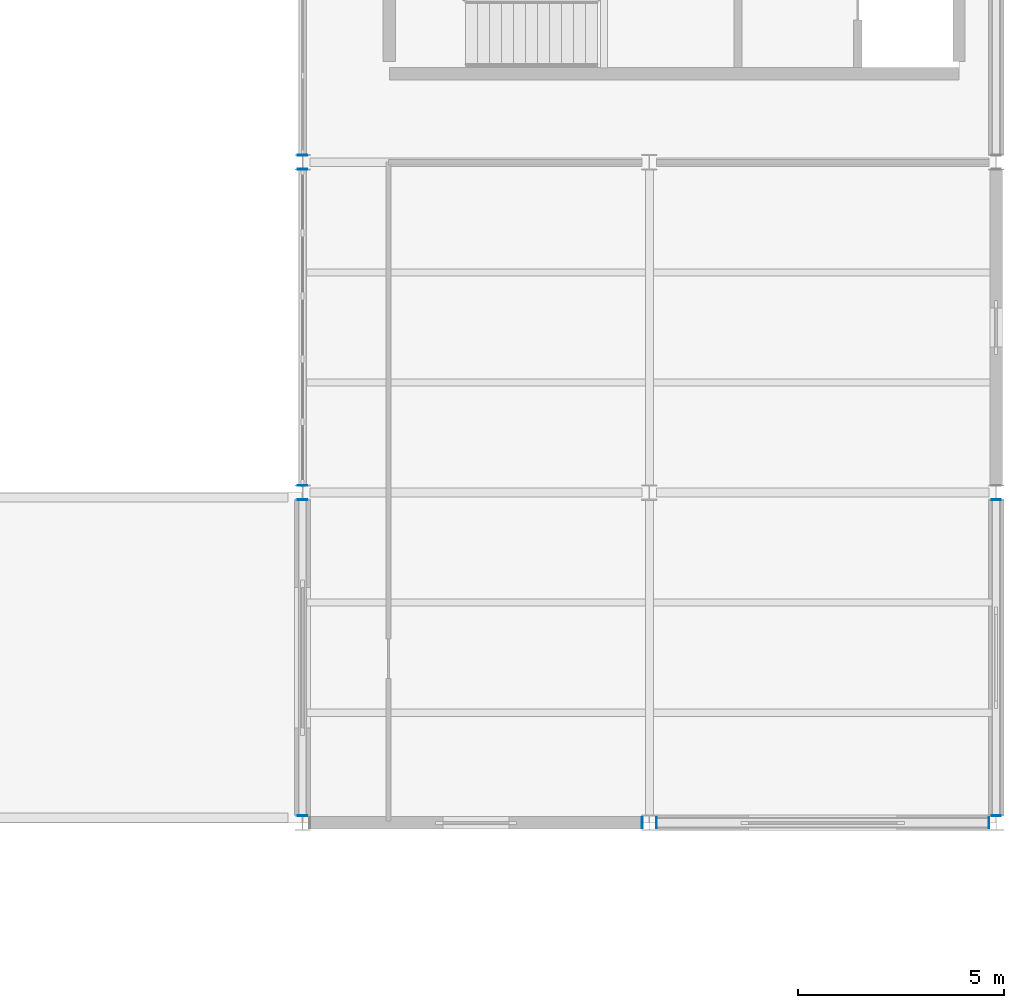
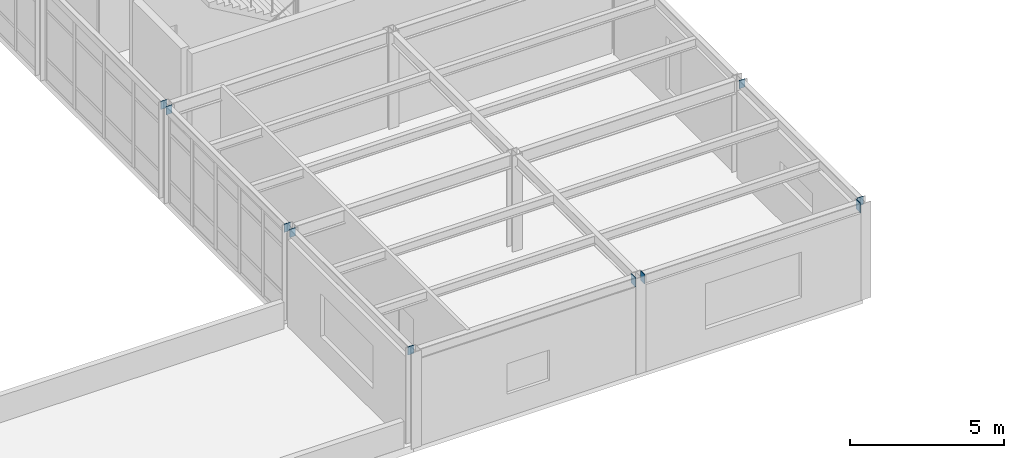
# One storey, part 122 of 138: 10 discrete accessories.
"""IFC4 building model written with IfcOpenShell, lengths in metres."""

from ifc_helpers import new_model, si_unit, direction, frame, origin, origin_2d, place, context, subcontext, project, spatial, rectangle, extrude, material, layer, layer_set, type_object, element, save


model = new_model("IFC4")

# Units and contexts
model_context = context("Model", 3, precision=1e-05, world=origin(), true_north=direction((0.0, 1.0)))
body_context = subcontext(model_context, "Body", "Model", "MODEL_VIEW")
ifc_project = project(units=[si_unit("LENGTHUNIT", "METRE"), si_unit("AREAUNIT", "SQUARE_METRE"), si_unit("VOLUMEUNIT", "CUBIC_METRE"), si_unit("PLANEANGLEUNIT", "RADIAN"), si_unit("MASSUNIT", "GRAM", prefix="KILO")], contexts=[model_context])

# Site, building, storey
site_placement = place(None, origin())
site = spatial("IfcSite", under=ifc_project, at=site_placement, CompositionType="ELEMENT")
building_placement = place(site_placement, origin())
building = spatial("IfcBuilding", under=site, at=building_placement, Name="Kranzveld Transit Interchange", CompositionType="ELEMENT")
storey_placement = place(building_placement, frame((0.0, 0.0, 5.43994140625)))
storey = spatial("IfcBuildingStorey", under=building, at=storey_placement, Name="L01", CompositionType="ELEMENT", Elevation=5.43994140625)

# Discrete accessories
ifc_material = material(Name="Steel S355JR", Category="steel")
ifc_layer = layer(ifc_material, 0.02001953125)
ifc_layer_set = layer_set([ifc_layer], Name="Steel S355JR")
discrete_accessory_type = type_object("IfcDiscreteAccessoryType", Name="Hollow Section End Cap Bracket 20 S355JR", PredefinedType="BRACKET", material=ifc_layer_set)
for number, where, z_axis, x_axis, name in (
    (1, (159.418701171875, 56.0, 3.625), (1.0, 0.0, 0.0), (0.0, 1.0, 0.0), "Hollow Section End Cap SP-RHS350-2"),
    (2, (159.78125, 56.0, 3.625), (-1.0, 0.0, 0.0), (0.0, -1.0, 0.0), "Hollow Section End Cap SP-RHS350-1"),
    (3, (167.818603515625, 56.0, 3.625), (1.0, 0.0, 0.0), (0.0, 1.0, 0.0), "Hollow Section End Cap SP-RHS350-2"),
):
    element("IfcDiscreteAccessory", number, at=place(storey_placement, frame(where, z_axis=z_axis, x_axis=x_axis)), inside=storey, type_object=discrete_accessory_type, Name=name, PredefinedType="BRACKET", context=body_context, shape_type="SweptSolid", body=[
        extrude(rectangle(XDim=0.27392578125, YDim=0.3740234375, at=origin_2d()), origin(), (0.0, 0.0, 1.0), 0.02001953125),
    ])
for number, where, z_axis, x_axis, name in (
    (4, (151.199951171875, 56.181396484375, 3.650146484375), (0.0, -1.0, 0.0), (1.0, 0.0, 0.0), "Hollow Section End Cap SP-RHS300-1"),
    (5, (151.199951171875, 63.818603515625, 3.650146484375), (0.0, 1.0, 0.0), (-1.0, 0.0, 0.0), "Hollow Section End Cap SP-RHS300-2"),
    (6, (151.199951171875, 64.181396484375, 3.650146484375), (0.0, -1.0, 0.0), (1.0, 0.0, 0.0), "Hollow Section End Cap SP-RHS300-1"),
    (7, (151.199951171875, 71.818603515625, 3.650146484375), (0.0, 1.0, 0.0), (-1.0, 0.0, 0.0), "Hollow Section End Cap SP-RHS300-2"),
    (8, (151.199951171875, 72.181396484375, 3.650146484375), (0.0, -1.0, 0.0), (1.0, 0.0, 0.0), "Hollow Section End Cap SP-RHS300-1"),
    (9, (168.0, 56.181396484375, 3.650146484375), (0.0, -1.0, 0.0), (1.0, 0.0, 0.0), "Hollow Section End Cap SP-RHS300-1"),
    (10, (168.0, 63.818603515625, 3.650146484375), (0.0, 1.0, 0.0), (-1.0, 0.0, 0.0), "Hollow Section End Cap SP-RHS300-2"),
):
    element("IfcDiscreteAccessory", number, at=place(storey_placement, frame(where, z_axis=z_axis, x_axis=x_axis)), inside=storey, type_object=discrete_accessory_type, Name=name, PredefinedType="BRACKET", context=body_context, shape_type="SweptSolid", body=[
        extrude(rectangle(XDim=0.22412109375, YDim=0.323974609375, at=origin_2d()), origin(), (0.0, 0.0, 1.0), 0.02001953125),
    ])

save(model, "model.ifc")
